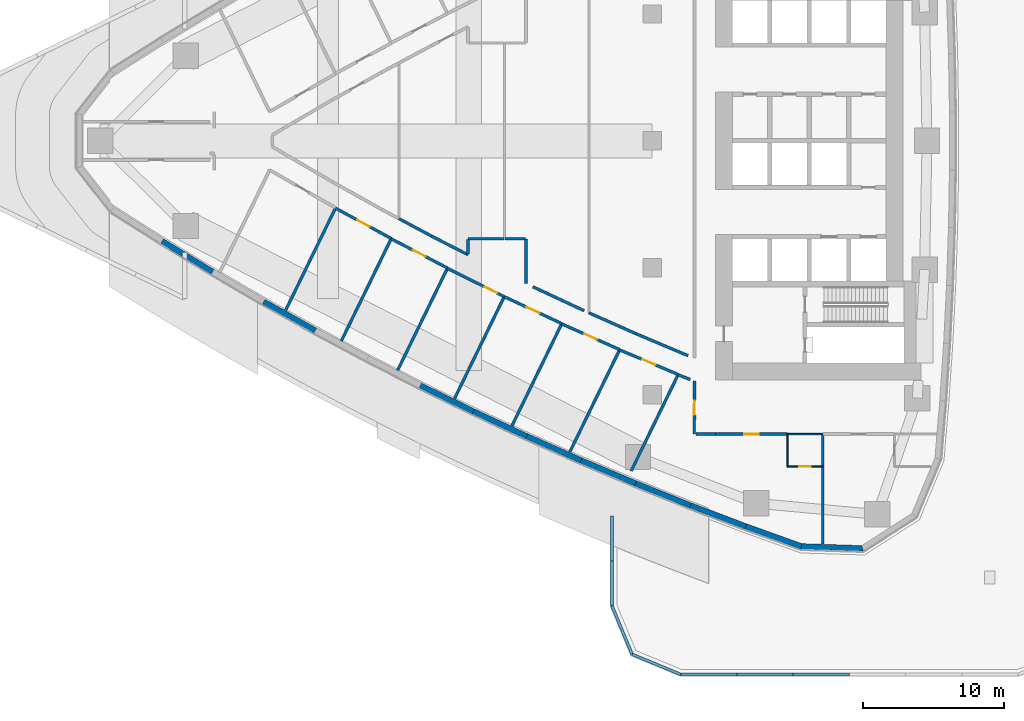
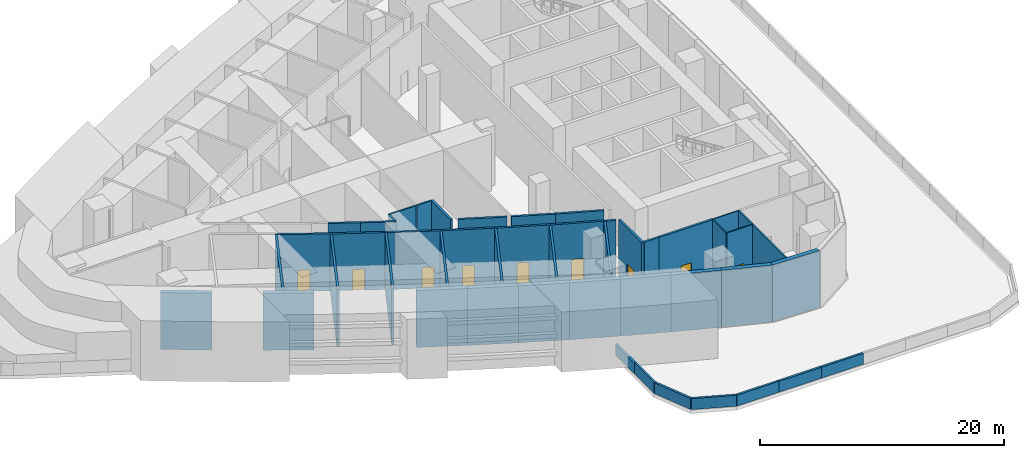
# One storey, part 2 of 14: 47 walls, 9 doors, 9 openings.
"""IFC4 building model written with IfcOpenShell, lengths in metres."""

from ifc_helpers import new_model, si_unit, direction, frame, frame_2d, origin, place, context, subcontext, project, spatial, polyline, rectangle, outline, extrude, material, layer, layer_set, type_object, element, fill, save


model = new_model("IFC4")

# Units and contexts
model_context = context("Model", 3, precision=1e-05, world=origin(), true_north=direction((0.0, 1.0)))
body_context = subcontext(model_context, "Body", "Model", "MODEL_VIEW")
ifc_project = project(units=[si_unit("LENGTHUNIT", "METRE"), si_unit("AREAUNIT", "SQUARE_METRE"), si_unit("VOLUMEUNIT", "CUBIC_METRE"), si_unit("PLANEANGLEUNIT", "RADIAN"), si_unit("MASSUNIT", "GRAM", prefix="KILO")], contexts=[model_context])

# Site, building, storey
site_placement = place(None, origin())
site = spatial("IfcSite", under=ifc_project, at=site_placement, CompositionType="ELEMENT")
building_placement = place(site_placement, origin())
building = spatial("IfcBuilding", under=site, at=building_placement, Name="Ostrand Prow Hotel Tower", CompositionType="ELEMENT")
storey_placement = place(building_placement, frame((0.0, 0.0, 29.0)))
storey = spatial("IfcBuildingStorey", under=building, at=storey_placement, Name="L05", CompositionType="ELEMENT", Elevation=29.0)

# Wall
ifc_material_1 = material(Name="Plasterboard partition")
ifc_layer_1 = layer(ifc_material_1, 0.10009765625)
ifc_layer_set_1 = layer_set([ifc_layer_1], Name="Plasterboard partition")
wall_type_1 = type_object("IfcWallType", Name="Partition 100 bathroom wall", PredefinedType="PARTITIONING", material=ifc_layer_set_1)
wall_1_placement = place(storey_placement, frame((54.601806640625, -23.10009765625, 0.0), z_axis=(0.0, 0.0, 1.0), x_axis=(0.0, 1.0, 0.0)))
element("IfcWall", 1, at=wall_1_placement, inside=storey, type_object=wall_type_1, Name="BATHROOM WALL", PredefinedType="PARTITIONING", context=body_context, shape_type="SweptSolid", body=[
    extrude(rectangle(XDim=2.300048828125, YDim=0.10009765625, at=frame_2d((1.14990234375, 0.0))), origin(), (0.0, 0.0, 1.0), 5.699951171875),
])

# Wall, opening, door
wall_2_placement = place(storey_placement, frame((57.101806640625, -23.10009765625, 0.0), z_axis=(0.0, 0.0, 1.0), x_axis=(-1.0, 0.0, 0.0)))
wall_2 = element("IfcWall", 2, at=wall_2_placement, inside=storey, type_object=wall_type_1, Name="BATHROOM WALL", PredefinedType="PARTITIONING", context=body_context, shape_type="SweptSolid", body=[
    extrude(rectangle(XDim=2.5, YDim=0.10009765625, at=frame_2d((1.25, 0.0))), origin(), (0.0, 0.0, 1.0), 5.699951171875),
])
opening_1_placement = place(wall_2_placement, frame((0.85009765625, 0.0, 0.0)))
opening_1 = element("IfcOpeningElement", 3, at=opening_1_placement, cuts=wall_2, Name="Opening D2", PredefinedType="OPENING", context=body_context, shape_type="SweptSolid", body=[
    extrude(rectangle(XDim=0.800048828125, YDim=2.10009765625, at=frame_2d((0.39990234375, 1.050048828125))), frame((0.0, 0.06005859375, 0.0), z_axis=(0.0, -1.0, 0.0), x_axis=(1.0, 0.0, 0.0)), (0.0, 0.0, 1.0), 0.1201171875),
])
ifc_material_2 = material(Name="Timber door leaf", Category="wood")
door_type_1 = type_object("IfcDoorType", Name="Bathroom door 800", OperationType="SINGLE_SWING_LEFT", PredefinedType="DOOR", material=ifc_material_2)
door_1_placement = place(opening_1_placement, origin())
door_1 = element("IfcDoor", 4, at=door_1_placement, inside=storey, type_object=door_type_1, Name="DOOR", OperationType="SINGLE_SWING_LEFT", OverallHeight=2.10009765625, OverallWidth=0.800048828125, PredefinedType="DOOR", context=body_context, shape_type="SweptSolid", body=[
    extrude(rectangle(XDim=0.800048828125, YDim=2.10009765625, at=frame_2d((0.39990234375, 1.050048828125))), frame((0.0, 0.02490234375, 0.0), z_axis=(0.0, -1.0, 0.0), x_axis=(1.0, 0.0, 0.0)), (0.0, 0.0, 1.0), 0.050048828125),
])
fill(opening_1, door_1)

# Walls
wall_3_placement = place(storey_placement, frame((54.601806640625, -20.804931640625, 0.0), z_axis=(0.0, 0.0, 1.0), x_axis=(1.0, 0.0, 0.0)))
element("IfcWall", 5, at=wall_3_placement, inside=storey, type_object=wall_type_1, Name="BATHROOM WALL", PredefinedType="PARTITIONING", context=body_context, shape_type="SweptSolid", body=[
    extrude(rectangle(XDim=2.5, YDim=0.10009765625, at=frame_2d((1.25, 0.0))), origin(), (0.0, 0.0, 1.0), 5.699951171875),
])
ifc_material_3 = material(Name="Plasterboard partition")
ifc_layer_2 = layer(ifc_material_3, 0.14990234375)
ifc_layer_set_2 = layer_set([ifc_layer_2], Name="Plasterboard partition")
wall_type_2 = type_object("IfcWallType", Name="Partition 150 room partition", PredefinedType="PARTITIONING", material=ifc_layer_set_2)
wall_4_placement = place(storey_placement, frame((57.101806640625, -28.5869140625, 0.0), z_axis=(0.0, 0.0, 1.0), x_axis=(0.0, 1.0, 0.0)))
element("IfcWall", 6, at=wall_4_placement, inside=storey, type_object=wall_type_2, Name="ROOM PARTITION", PredefinedType="PARTITIONING", context=body_context, shape_type="SweptSolid", body=[
    extrude(rectangle(XDim=7.786865234375, YDim=0.14990234375, at=frame_2d((3.8935546875, 0.0))), origin(), (0.0, 0.0, 1.0), 5.699951171875),
])
wall_5_placement = place(storey_placement, frame((34.482421875, -6.945068359375, 0.0), z_axis=(0.0, 0.0, 1.0), x_axis=(-0.99999999536, -9.6329833e-05, 0.0)))
element("IfcWall", 7, at=wall_5_placement, inside=storey, type_object=wall_type_2, Name="ROOM PARTITION", PredefinedType="PARTITIONING", context=body_context, shape_type="SweptSolid", body=[
    extrude(rectangle(XDim=2.534423828125, YDim=0.14990234375, at=frame_2d((1.26708984375, 0.0))), origin(), (0.0, 0.0, 1.0), 5.699951171875),
])
wall_6_placement = place(storey_placement, frame((36.014404296875, -6.947509765625, 0.0), z_axis=(0.0, 0.0, 1.0), x_axis=(-0.999998586248, 0.001681517717, 0.0)))
element("IfcWall", 8, at=wall_6_placement, inside=storey, type_object=wall_type_2, Name="ROOM PARTITION", PredefinedType="PARTITIONING", context=body_context, shape_type="SweptSolid", body=[
    extrude(rectangle(XDim=1.451904296875, YDim=0.14990234375, at=frame_2d((0.72607421875, 0.0))), origin(), (0.0, 0.0, 1.0), 5.699951171875),
])

# Wall, opening, door
ifc_material_4 = material(Name="Plasterboard partition")
ifc_layer_3 = layer(ifc_material_4, 0.199951171875)
ifc_layer_set_3 = layer_set([ifc_layer_3], Name="Plasterboard partition")
wall_type_3 = type_object("IfcWallType", Name="Partition 200 corridor wall", PredefinedType="PARTITIONING", material=ifc_layer_set_3)
wall_7_placement = place(storey_placement, frame((22.541015625, -4.772705078125, 0.0), z_axis=(0.0, 0.0, 1.0), x_axis=(0.878098348451, -0.478480188146, 0.0)))
wall_7 = element("IfcWall", 9, at=wall_7_placement, inside=storey, type_object=wall_type_3, Name="CORRIDOR WALL", PredefinedType="PARTITIONING", context=body_context, shape_type="SweptSolid", body=[
    extrude(rectangle(XDim=4.507568359375, YDim=0.199951171875, at=frame_2d((2.25390625, 0.0))), origin(), (0.0, 0.0, 1.0), 5.699951171875),
])
opening_2_placement = place(wall_7_placement, frame((1.75390625, 0.0, 0.0)))
opening_2 = element("IfcOpeningElement", 10, at=opening_2_placement, cuts=wall_7, Name="Opening D1", PredefinedType="OPENING", context=body_context, shape_type="SweptSolid", body=[
    extrude(rectangle(XDim=1.0, YDim=2.10009765625, at=frame_2d((0.5, 1.050048828125))), frame((0.0, 0.10986328125, 0.0), z_axis=(0.0, -1.0, 0.0), x_axis=(1.0, 0.0, 0.0)), (0.0, 0.0, 1.0), 0.219970703125),
])
ifc_material_5 = material(Name="Timber door leaf", Category="wood")
door_type_2 = type_object("IfcDoorType", Name="Guest room door 1000", OperationType="SINGLE_SWING_LEFT", PredefinedType="DOOR", material=ifc_material_5)
door_2_placement = place(opening_2_placement, origin())
door_2 = element("IfcDoor", 11, at=door_2_placement, inside=storey, type_object=door_type_2, Name="DOOR", OperationType="SINGLE_SWING_LEFT", OverallHeight=2.10009765625, OverallWidth=1.0, PredefinedType="DOOR", context=body_context, shape_type="SweptSolid", body=[
    extrude(rectangle(XDim=1.0, YDim=2.10009765625, at=frame_2d((0.5, 1.050048828125))), frame((0.0, 0.02490234375, 0.0), z_axis=(0.0, -1.0, 0.0), x_axis=(1.0, 0.0, 0.0)), (0.0, 0.0, 1.0), 0.050048828125),
])
fill(opening_2, door_2)

wall_8_placement = place(storey_placement, frame((26.490234375, -6.947509765625, 0.0), z_axis=(0.0, 0.0, 1.0), x_axis=(0.887638836985, -0.460540220911, 0.0)))
wall_8 = element("IfcWall", 12, at=wall_8_placement, inside=storey, type_object=wall_type_3, Name="CORRIDOR WALL", PredefinedType="PARTITIONING", context=body_context, shape_type="SweptSolid", body=[
    extrude(rectangle(XDim=4.50439453125, YDim=0.199951171875, at=frame_2d((2.252197265625, 0.0))), origin(), (0.0, 0.0, 1.0), 5.699951171875),
])
opening_3_placement = place(wall_8_placement, frame((1.752197265625, 0.0, 0.0)))
opening_3 = element("IfcOpeningElement", 13, at=opening_3_placement, cuts=wall_8, Name="Opening D1R", PredefinedType="OPENING", context=body_context, shape_type="SweptSolid", body=[
    extrude(rectangle(XDim=1.0, YDim=2.10009765625, at=frame_2d((0.5, 1.050048828125))), frame((0.0, 0.10986328125, 0.0), z_axis=(0.0, -1.0, 0.0), x_axis=(1.0, 0.0, 0.0)), (0.0, 0.0, 1.0), 0.219970703125),
])
ifc_material_6 = material(Name="Timber door leaf", Category="wood")
door_type_3 = type_object("IfcDoorType", Name="Guest room door 1000 right", OperationType="SINGLE_SWING_RIGHT", PredefinedType="DOOR", material=ifc_material_6)
door_3_placement = place(opening_3_placement, origin())
door_3 = element("IfcDoor", 14, at=door_3_placement, inside=storey, type_object=door_type_3, Name="DOOR", OperationType="SINGLE_SWING_RIGHT", OverallHeight=2.10009765625, OverallWidth=1.0, PredefinedType="DOOR", context=body_context, shape_type="SweptSolid", body=[
    extrude(rectangle(XDim=1.0, YDim=2.10009765625, at=frame_2d((0.5, 1.050048828125))), frame((0.0, 0.02490234375, 0.0), z_axis=(0.0, -1.0, 0.0), x_axis=(1.0, 0.0, 0.0)), (0.0, 0.0, 1.0), 0.050048828125),
])
fill(opening_3, door_3)

wall_9_placement = place(storey_placement, frame((30.479736328125, -9.039794921875, 0.0), z_axis=(0.0, 0.0, 1.0), x_axis=(0.894989913054, -0.446086376761, 0.0)))
wall_9 = element("IfcWall", 15, at=wall_9_placement, inside=storey, type_object=wall_type_3, Name="CORRIDOR WALL", PredefinedType="PARTITIONING", context=body_context, shape_type="SweptSolid", body=[
    extrude(rectangle(XDim=4.50634765625, YDim=0.199951171875, at=frame_2d((2.253173828125, 0.0))), origin(), (0.0, 0.0, 1.0), 5.699951171875),
])
opening_4_placement = place(wall_9_placement, frame((2.949951171875, 0.0, 0.0)))
opening_4 = element("IfcOpeningElement", 16, at=opening_4_placement, cuts=wall_9, Name="Opening D1", PredefinedType="OPENING", context=body_context, shape_type="SweptSolid", body=[
    extrude(rectangle(XDim=1.0, YDim=2.10009765625, at=frame_2d((0.5, 1.050048828125))), frame((0.0, 0.10986328125, 0.0), z_axis=(0.0, -1.0, 0.0), x_axis=(1.0, 0.0, 0.0)), (0.0, 0.0, 1.0), 0.219970703125),
])
door_4_placement = place(opening_4_placement, origin())
door_4 = element("IfcDoor", 17, at=door_4_placement, inside=storey, type_object=door_type_2, Name="DOOR", OperationType="SINGLE_SWING_LEFT", OverallHeight=2.10009765625, OverallWidth=1.0, PredefinedType="DOOR", context=body_context, shape_type="SweptSolid", body=[
    extrude(rectangle(XDim=1.0, YDim=2.10009765625, at=frame_2d((0.5, 1.050048828125))), frame((0.0, 0.02490234375, 0.0), z_axis=(0.0, -1.0, 0.0), x_axis=(1.0, 0.0, 0.0)), (0.0, 0.0, 1.0), 0.050048828125),
])
fill(opening_4, door_4)

wall_10_placement = place(storey_placement, frame((34.51220703125, -11.0517578125, 0.0), z_axis=(0.0, 0.0, 1.0), x_axis=(0.905585758423, -0.424163216394, 0.0)))
wall_10 = element("IfcWall", 18, at=wall_10_placement, inside=storey, type_object=wall_type_3, Name="CORRIDOR WALL", PredefinedType="PARTITIONING", context=body_context, shape_type="SweptSolid", body=[
    extrude(rectangle(XDim=4.5068359375, YDim=0.199951171875, at=frame_2d((2.25341796875, 0.0))), origin(), (0.0, 0.0, 1.0), 5.699951171875),
])
opening_5_placement = place(wall_10_placement, frame((1.75341796875, 0.0, 0.0)))
opening_5 = element("IfcOpeningElement", 19, at=opening_5_placement, cuts=wall_10, Name="Opening D1R", PredefinedType="OPENING", context=body_context, shape_type="SweptSolid", body=[
    extrude(rectangle(XDim=1.0, YDim=2.10009765625, at=frame_2d((0.5, 1.050048828125))), frame((0.0, 0.10986328125, 0.0), z_axis=(0.0, -1.0, 0.0), x_axis=(1.0, 0.0, 0.0)), (0.0, 0.0, 1.0), 0.219970703125),
])
door_5_placement = place(opening_5_placement, origin())
door_5 = element("IfcDoor", 20, at=door_5_placement, inside=storey, type_object=door_type_3, Name="DOOR", OperationType="SINGLE_SWING_RIGHT", OverallHeight=2.10009765625, OverallWidth=1.0, PredefinedType="DOOR", context=body_context, shape_type="SweptSolid", body=[
    extrude(rectangle(XDim=1.0, YDim=2.10009765625, at=frame_2d((0.5, 1.050048828125))), frame((0.0, 0.02490234375, 0.0), z_axis=(0.0, -1.0, 0.0), x_axis=(1.0, 0.0, 0.0)), (0.0, 0.0, 1.0), 0.050048828125),
])
fill(opening_5, door_5)

wall_11_placement = place(storey_placement, frame((38.584716796875, -12.981201171875, 0.0), z_axis=(0.0, 0.0, 1.0), x_axis=(0.914010307464, -0.40569096348, 0.0)))
wall_11 = element("IfcWall", 21, at=wall_11_placement, inside=storey, type_object=wall_type_3, Name="CORRIDOR WALL", PredefinedType="PARTITIONING", context=body_context, shape_type="SweptSolid", body=[
    extrude(rectangle(XDim=4.505615234375, YDim=0.199951171875, at=frame_2d((2.2529296875, 0.0))), origin(), (0.0, 0.0, 1.0), 5.699951171875),
])
opening_6_placement = place(wall_11_placement, frame((1.752685546875, 0.0, 0.0)))
opening_6 = element("IfcOpeningElement", 22, at=opening_6_placement, cuts=wall_11, Name="Opening D1", PredefinedType="OPENING", context=body_context, shape_type="SweptSolid", body=[
    extrude(rectangle(XDim=1.0, YDim=2.10009765625, at=frame_2d((0.5, 1.050048828125))), frame((0.0, 0.10986328125, 0.0), z_axis=(0.0, -1.0, 0.0), x_axis=(1.0, 0.0, 0.0)), (0.0, 0.0, 1.0), 0.219970703125),
])
door_6_placement = place(opening_6_placement, origin())
door_6 = element("IfcDoor", 23, at=door_6_placement, inside=storey, type_object=door_type_2, Name="DOOR", OperationType="SINGLE_SWING_LEFT", OverallHeight=2.10009765625, OverallWidth=1.0, PredefinedType="DOOR", context=body_context, shape_type="SweptSolid", body=[
    extrude(rectangle(XDim=1.0, YDim=2.10009765625, at=frame_2d((0.5, 1.050048828125))), frame((0.0, 0.02490234375, 0.0), z_axis=(0.0, -1.0, 0.0), x_axis=(1.0, 0.0, 0.0)), (0.0, 0.0, 1.0), 0.050048828125),
])
fill(opening_6, door_6)

wall_12_placement = place(storey_placement, frame((42.694091796875, -14.8271484375, 0.0), z_axis=(0.0, 0.0, 1.0), x_axis=(0.922040468003, -0.38709349693, 0.0)))
wall_12 = element("IfcWall", 24, at=wall_12_placement, inside=storey, type_object=wall_type_3, Name="CORRIDOR WALL", PredefinedType="PARTITIONING", context=body_context, shape_type="SweptSolid", body=[
    extrude(rectangle(XDim=4.509521484375, YDim=0.199951171875, at=frame_2d((2.2548828125, 0.0))), origin(), (0.0, 0.0, 1.0), 5.699951171875),
])
opening_7_placement = place(wall_12_placement, frame((1.7548828125, 0.0, 0.0)))
opening_7 = element("IfcOpeningElement", 25, at=opening_7_placement, cuts=wall_12, Name="Opening D1R", PredefinedType="OPENING", context=body_context, shape_type="SweptSolid", body=[
    extrude(rectangle(XDim=1.0, YDim=2.10009765625, at=frame_2d((0.5, 1.050048828125))), frame((0.0, 0.10986328125, 0.0), z_axis=(0.0, -1.0, 0.0), x_axis=(1.0, 0.0, 0.0)), (0.0, 0.0, 1.0), 0.219970703125),
])
door_7_placement = place(opening_7_placement, origin())
door_7 = element("IfcDoor", 26, at=door_7_placement, inside=storey, type_object=door_type_3, Name="DOOR", OperationType="SINGLE_SWING_RIGHT", OverallHeight=2.10009765625, OverallWidth=1.0, PredefinedType="DOOR", context=body_context, shape_type="SweptSolid", body=[
    extrude(rectangle(XDim=1.0, YDim=2.10009765625, at=frame_2d((0.5, 1.050048828125))), frame((0.0, 0.02490234375, 0.0), z_axis=(0.0, -1.0, 0.0), x_axis=(1.0, 0.0, 0.0)), (0.0, 0.0, 1.0), 0.050048828125),
])
fill(opening_7, door_7)

# Walls
wall_13_placement = place(storey_placement, frame((31.949951171875, -8.084716796875, 0.0), z_axis=(0.0, 0.0, 1.0), x_axis=(-0.890213377055, 0.455543788579, 0.0)))
element("IfcWall", 27, at=wall_13_placement, inside=storey, type_object=wall_type_3, Name="CORRIDOR WALL", PredefinedType="PARTITIONING", context=body_context, shape_type="SweptSolid", body=[
    extrude(rectangle(XDim=2.912353515625, YDim=0.199951171875, at=frame_2d((1.4560546875, 0.0))), origin(), (0.0, 0.0, 1.0), 5.699951171875),
])
wall_14_placement = place(storey_placement, frame((29.357421875, -6.758056640625, 0.0), z_axis=(0.0, 0.0, 1.0), x_axis=(-0.881643871176, 0.471915336069, 0.0)))
element("IfcWall", 28, at=wall_14_placement, inside=storey, type_object=wall_type_3, Name="CORRIDOR WALL", PredefinedType="PARTITIONING", context=body_context, shape_type="SweptSolid", body=[
    extrude(rectangle(XDim=2.63427734375, YDim=0.199951171875, at=frame_2d((1.317138671875, 0.0))), origin(), (0.0, 0.0, 1.0), 5.699951171875),
])
for number, where, z_axis, x_axis, name in (
    (29, (40.1796875, -12.0478515625, 0.0), (0.0, 0.0, 1.0), (-0.906347708834, 0.42253263861, 0.0), "CORRIDOR WALL"),
    (30, (47.549560546875, -15.239013671875, 0.0), (0.0, 0.0, 1.0), (-0.921269894054, 0.388923877269, 0.0), "CORRIDOR WALL"),
):
    element("IfcWall", number, at=place(storey_placement, frame(where, z_axis=z_axis, x_axis=x_axis)), inside=storey, type_object=wall_type_3, Name=name, PredefinedType="PARTITIONING", context=body_context, shape_type="SweptSolid", body=[
        extrude(rectangle(XDim=4.015625, YDim=0.199951171875, at=frame_2d((2.0078125, 0.0))), origin(), (0.0, 0.0, 1.0), 5.699951171875),
    ])
wall_15_placement = place(storey_placement, frame((43.85009765625, -13.67724609375, 0.0), z_axis=(0.0, 0.0, 1.0), x_axis=(-0.913985152197, 0.405747632849, 0.0)))
element("IfcWall", 31, at=wall_15_placement, inside=storey, type_object=wall_type_3, Name="CORRIDOR WALL", PredefinedType="PARTITIONING", context=body_context, shape_type="SweptSolid", body=[
    extrude(rectangle(XDim=3.65185546875, YDim=0.199951171875, at=frame_2d((1.825927734375, 0.0))), origin(), (0.0, 0.0, 1.0), 5.699951171875),
])

# Wall, opening, door
wall_16_placement = place(storey_placement, frame((49.5, -20.804931640625, 0.0), z_axis=(0.0, 0.0, 1.0), x_axis=(1.0, 0.0, 0.0)))
wall_16 = element("IfcWall", 32, at=wall_16_placement, inside=storey, type_object=wall_type_3, Name="CORRIDOR WALL", PredefinedType="PARTITIONING", context=body_context, shape_type="SweptSolid", body=[
    extrude(rectangle(XDim=5.0966796875, YDim=0.199951171875, at=frame_2d((2.54833984375, 0.0))), origin(), (0.0, 0.0, 1.0), 5.699951171875),
])
opening_8_placement = place(wall_16_placement, frame((2.04833984375, 0.0, 0.0)))
opening_8 = element("IfcOpeningElement", 33, at=opening_8_placement, cuts=wall_16, Name="Opening D1", PredefinedType="OPENING", context=body_context, shape_type="SweptSolid", body=[
    extrude(rectangle(XDim=1.0, YDim=2.10009765625, at=frame_2d((0.5, 1.050048828125))), frame((0.0, 0.10986328125, 0.0), z_axis=(0.0, -1.0, 0.0), x_axis=(1.0, 0.0, 0.0)), (0.0, 0.0, 1.0), 0.219970703125),
])
door_8_placement = place(opening_8_placement, origin())
door_8 = element("IfcDoor", 34, at=door_8_placement, inside=storey, type_object=door_type_2, Name="DOOR", OperationType="SINGLE_SWING_LEFT", OverallHeight=2.10009765625, OverallWidth=1.0, PredefinedType="DOOR", context=body_context, shape_type="SweptSolid", body=[
    extrude(rectangle(XDim=1.0, YDim=2.10009765625, at=frame_2d((0.5, 1.050048828125))), frame((0.0, 0.02490234375, 0.0), z_axis=(0.0, -1.0, 0.0), x_axis=(1.0, 0.0, 0.0)), (0.0, 0.0, 1.0), 0.050048828125),
])
fill(opening_8, door_8)

# Walls
wall_17_placement = place(storey_placement, frame((46.843505859375, -16.5908203125, 0.0), z_axis=(0.0, 0.0, 1.0), x_axis=(0.930610193452, -0.366011841125, 0.0)))
element("IfcWall", 35, at=wall_17_placement, inside=storey, type_object=wall_type_3, Name="CORRIDOR WALL", PredefinedType="PARTITIONING", context=body_context, shape_type="SweptSolid", body=[
    extrude(rectangle(XDim=0.924560546875, YDim=0.199951171875, at=frame_2d((0.46240234375, 0.0))), origin(), (0.0, 0.0, 1.0), 5.699951171875),
])
wall_18_placement = place(storey_placement, frame((31.947998046875, -6.9853515625, 0.0), z_axis=(0.0, 0.0, 1.0), x_axis=(-0.00278485808, -0.999996122275, 0.0)))
element("IfcWall", 36, at=wall_18_placement, inside=storey, type_object=wall_type_3, Name="CORRIDOR WALL", PredefinedType="PARTITIONING", context=body_context, shape_type="SweptSolid", body=[
    extrude(rectangle(XDim=1.052001953125, YDim=0.199951171875, at=frame_2d((0.52587890625, 0.0))), origin(), (0.0, 0.0, 1.0), 5.699951171875),
])
wall_19_placement = place(storey_placement, frame((36.054931640625, -10.1083984375, 0.0), z_axis=(0.0, 0.0, 1.0), x_axis=(-0.000154475939, 0.999999988069, 0.0)))
element("IfcWall", 37, at=wall_19_placement, inside=storey, type_object=wall_type_3, Name="CORRIDOR WALL", PredefinedType="PARTITIONING", context=body_context, shape_type="SweptSolid", body=[
    extrude(rectangle(XDim=3.160888671875, YDim=0.199951171875, at=frame_2d((1.58056640625, 0.0))), origin(), (0.0, 0.0, 1.0), 5.699951171875),
])

# Wall, opening, door
wall_20_placement = place(storey_placement, frame((47.998779296875, -17.033203125, 0.0), z_axis=(0.0, 0.0, 1.0), x_axis=(-0.000906911592, -0.999999588756, 0.0)))
wall_20 = element("IfcWall", 38, at=wall_20_placement, inside=storey, type_object=wall_type_3, Name="CORRIDOR WALL", PredefinedType="PARTITIONING", context=body_context, shape_type="SweptSolid", body=[
    extrude(rectangle(XDim=3.768798828125, YDim=0.199951171875, at=frame_2d((1.88427734375, 0.0))), origin(), (0.0, 0.0, 1.0), 5.699951171875),
])
opening_9_placement = place(wall_20_placement, frame((1.39990234375, 0.0, 0.0)))
opening_9 = element("IfcOpeningElement", 39, at=opening_9_placement, cuts=wall_20, Name="Opening D1R", PredefinedType="OPENING", context=body_context, shape_type="SweptSolid", body=[
    extrude(rectangle(XDim=1.0, YDim=2.10009765625, at=frame_2d((0.5, 1.050048828125))), frame((0.0, 0.10986328125, 0.0), z_axis=(0.0, -1.0, 0.0), x_axis=(1.0, 0.0, 0.0)), (0.0, 0.0, 1.0), 0.219970703125),
])
door_9_placement = place(opening_9_placement, origin())
door_9 = element("IfcDoor", 40, at=door_9_placement, inside=storey, type_object=door_type_3, Name="DOOR", OperationType="SINGLE_SWING_RIGHT", OverallHeight=2.10009765625, OverallWidth=1.0, PredefinedType="DOOR", context=body_context, shape_type="SweptSolid", body=[
    extrude(rectangle(XDim=1.0, YDim=2.10009765625, at=frame_2d((0.5, 1.050048828125))), frame((0.0, 0.02490234375, 0.0), z_axis=(0.0, -1.0, 0.0), x_axis=(1.0, 0.0, 0.0)), (0.0, 0.0, 1.0), 0.050048828125),
])
fill(opening_9, door_9)

# Walls
wall_21_placement = place(storey_placement, frame((48.115478515625, -20.802001953125, 0.0), z_axis=(0.0, 0.0, 1.0), x_axis=(0.999997761218, -0.002116024182, 0.0)))
element("IfcWall", 41, at=wall_21_placement, inside=storey, type_object=wall_type_3, Name="CORRIDOR WALL", PredefinedType="PARTITIONING", context=body_context, shape_type="SweptSolid", body=[
    extrude(rectangle(XDim=1.384521484375, YDim=0.199951171875, at=frame_2d((0.6923828125, 0.0))), origin(), (0.0, 0.0, 1.0), 5.699951171875),
])
ifc_material_7 = material(Name="Plasterboard partition")
ifc_layer_4 = layer(ifc_material_7, 0.199951171875)
ifc_layer_set_4 = layer_set([ifc_layer_4], Name="Plasterboard partition")
wall_type_4 = type_object("IfcWallType", Name="Partition 200 key partition", PredefinedType="PARTITIONING", material=ifc_layer_set_4)
wall_22_placement = place(storey_placement, frame((19.0078125, -12.02001953125, 0.0), z_axis=(0.0, 0.0, 1.0), x_axis=(0.43821414459, 0.898870604415, 0.0)))
element("IfcWall", 42, at=wall_22_placement, inside=storey, type_object=wall_type_4, Name="KEY PARTITION", PredefinedType="PARTITIONING", context=body_context, shape_type="SweptSolid", body=[
    extrude(rectangle(XDim=8.082763671875, YDim=0.199951171875, at=frame_2d((4.04150390625, 0.0))), origin(), (0.0, 0.0, 1.0), 5.699951171875),
])
wall_23_placement = place(storey_placement, frame((22.960205078125, -14.1884765625, 0.0), z_axis=(0.0, 0.0, 1.0), x_axis=(0.438206216484, 0.898874469453, 0.0)))
element("IfcWall", 43, at=wall_23_placement, inside=storey, type_object=wall_type_4, Name="KEY PARTITION", PredefinedType="PARTITIONING", context=body_context, shape_type="SweptSolid", body=[
    extrude(rectangle(XDim=8.07568359375, YDim=0.199951171875, at=frame_2d((4.037841796875, 0.0))), origin(), (0.0, 0.0, 1.0), 5.699951171875),
])
wall_24_placement = place(storey_placement, frame((26.951416015625, -16.277099609375, 0.0), z_axis=(0.0, 0.0, 1.0), x_axis=(0.438225769904, 0.898864936791, 0.0)))
element("IfcWall", 44, at=wall_24_placement, inside=storey, type_object=wall_type_4, Name="KEY PARTITION", PredefinedType="PARTITIONING", context=body_context, shape_type="SweptSolid", body=[
    extrude(rectangle(XDim=8.071533203125, YDim=0.199951171875, at=frame_2d((4.03564453125, 0.0))), origin(), (0.0, 0.0, 1.0), 5.699951171875),
])
wall_25_placement = place(storey_placement, frame((30.984619140625, -18.28759765625, 0.0), z_axis=(0.0, 0.0, 1.0), x_axis=(0.438203778377, 0.89887565804, 0.0)))
element("IfcWall", 45, at=wall_25_placement, inside=storey, type_object=wall_type_4, Name="KEY PARTITION", PredefinedType="PARTITIONING", context=body_context, shape_type="SweptSolid", body=[
    extrude(rectangle(XDim=8.0517578125, YDim=0.199951171875, at=frame_2d((4.02587890625, 0.0))), origin(), (0.0, 0.0, 1.0), 5.699951171875),
])
wall_26_placement = place(storey_placement, frame((35.056640625, -20.218505859375, 0.0), z_axis=(0.0, 0.0, 1.0), x_axis=(0.438201330703, 0.898876851281, 0.0)))
element("IfcWall", 46, at=wall_26_placement, inside=storey, type_object=wall_type_4, Name="KEY PARTITION", PredefinedType="PARTITIONING", context=body_context, shape_type="SweptSolid", body=[
    extrude(rectangle(XDim=8.0712890625, YDim=0.199951171875, at=frame_2d((4.03564453125, 0.0))), origin(), (0.0, 0.0, 1.0), 5.699951171875),
])
wall_27_placement = place(storey_placement, frame((39.164306640625, -22.06787109375, 0.0), z_axis=(0.0, 0.0, 1.0), x_axis=(0.43819369757, 0.898880572384, 0.0)))
element("IfcWall", 47, at=wall_27_placement, inside=storey, type_object=wall_type_4, Name="KEY PARTITION", PredefinedType="PARTITIONING", context=body_context, shape_type="SweptSolid", body=[
    extrude(rectangle(XDim=8.075439453125, YDim=0.199951171875, at=frame_2d((4.03759765625, 0.0))), origin(), (0.0, 0.0, 1.0), 5.699951171875),
])
wall_28_placement = place(storey_placement, frame((43.516845703125, -23.414306640625, 0.0), z_axis=(0.0, 0.0, 1.0), x_axis=(0.438196739796, 0.898879089328, 0.0)))
element("IfcWall", 48, at=wall_28_placement, inside=storey, type_object=wall_type_4, Name="KEY PARTITION", PredefinedType="PARTITIONING", context=body_context, shape_type="SweptSolid", body=[
    extrude(rectangle(XDim=7.611083984375, YDim=0.199951171875, at=frame_2d((3.8056640625, 0.0))), origin(), (0.0, 0.0, 1.0), 5.699951171875),
])
ifc_material_8 = material(Name="Precast concrete C40/50", Category="concrete")
ifc_layer_5 = layer(ifc_material_8, 0.199951171875)
ifc_layer_set_5 = layer_set([ifc_layer_5], Name="Precast concrete C40/50")
wall_type_5 = type_object("IfcWallType", Name="Roof parapet 200 mm precast concrete", PredefinedType="PARAPET", material=ifc_layer_set_5)
for number, where, z_axis, x_axis, name in (
    (49, (42.14990234375, -26.61279296875, 0.0), (0.0, 0.0, 1.0), (0.0, -1.0, 0.0), "Roof parapet PRP0 1.30"),
    (50, (42.14990234375, -29.79150390625, 0.0), (0.0, 0.0, 1.0), (0.0, -1.0, 0.0), "Roof parapet PRP0 1.31"),
):
    element("IfcWall", number, at=place(storey_placement, frame(where, z_axis=z_axis, x_axis=x_axis)), inside=storey, type_object=wall_type_5, Name=name, PredefinedType="PARAPET", context=body_context, shape_type="SweptSolid", body=[
        extrude(rectangle(XDim=3.1787109375, YDim=0.199951171875, at=frame_2d((1.58935546875, 0.0))), origin(), (0.0, 0.0, 1.0), 1.10009765625),
    ])
for number, where, z_axis, x_axis, name in (
    (51, (42.14990234375, -32.97021484375, 0.0), (0.0, 0.0, 1.0), (0.382734748475, -0.923858275013, 0.0), "Roof parapet PRP0 1.32"),
    (52, (43.579345703125, -36.420654296875, 0.0), (0.0, 0.0, 1.0), (0.923858275013, -0.382734748475, 0.0), "Roof parapet PRP0 1.33"),
):
    element("IfcWall", number, at=place(storey_placement, frame(where, z_axis=z_axis, x_axis=x_axis)), inside=storey, type_object=wall_type_5, Name=name, PredefinedType="PARAPET", context=body_context, shape_type="SweptSolid", body=[
        extrude(rectangle(XDim=3.73486328125, YDim=0.199951171875, at=frame_2d((1.867431640625, 0.0))), origin(), (0.0, 0.0, 1.0), 1.10009765625),
    ])
wall_29_placement = place(storey_placement, frame((47.02978515625, -37.85009765625, 0.0), z_axis=(0.0, 0.0, 1.0), x_axis=(1.0, 0.0, 0.0)))
element("IfcWall", 53, at=wall_29_placement, inside=storey, type_object=wall_type_5, Name="Roof parapet PRP0 1.34", PredefinedType="PARAPET", context=body_context, shape_type="SweptSolid", body=[
    extrude(rectangle(XDim=3.990234375, YDim=0.199951171875, at=frame_2d((1.9951171875, 0.0))), origin(), (0.0, 0.0, 1.0), 1.10009765625),
])
for number, where, z_axis, x_axis, name in (
    (54, (51.02001953125, -37.85009765625, 0.0), (0.0, 0.0, 1.0), (1.0, 0.0, 0.0), "Roof parapet PRP0 1.35"),
    (55, (55.010009765625, -37.85009765625, 0.0), (0.0, 0.0, 1.0), (1.0, 0.0, 0.0), "Roof parapet PRP0 1.36"),
):
    element("IfcWall", number, at=place(storey_placement, frame(where, z_axis=z_axis, x_axis=x_axis)), inside=storey, type_object=wall_type_5, Name=name, PredefinedType="PARAPET", context=body_context, shape_type="SweptSolid", body=[
        extrude(rectangle(XDim=3.989990234375, YDim=0.199951171875, at=frame_2d((1.9951171875, 0.0))), origin(), (0.0, 0.0, 1.0), 1.10009765625),
    ])
ifc_material_9 = material(Name="Precast concrete C40/50", Category="concrete")
ifc_layer_6 = layer(ifc_material_9, 0.39990234375)
ifc_layer_set_6 = layer_set([ifc_layer_6], Name="Precast concrete C40/50")
wall_type_6 = type_object("IfcWallType", Name="Stone-faced precast wall 400 mm", PredefinedType="NOTDEFINED", material=ifc_layer_set_6)
wall_30_placement = place(storey_placement, frame((10.24169921875, -7.116455078125, 0.0), z_axis=(0.0, 0.0, 1.0), x_axis=(0.854262587683, -0.519841736767, 0.0)))
element("IfcWall", 56, at=wall_30_placement, inside=storey, type_object=wall_type_6, Name="Stone-faced wall prow 5", PredefinedType="NOTDEFINED", context=body_context, shape_type="SweptSolid", body=[
    extrude(outline(polyline([(-0.001708984375, -0.199951171875), (4.197998046875, -0.199951171875), (4.194580078125, 0.199951171875), (0.001708984375, 0.199951171875), (-0.001708984375, -0.199951171875)])), origin(), (0.0, 0.0, 1.0), 5.699951171875),
])
for number, where, z_axis, x_axis, name in (
    (57, (17.450439453125, -11.41259765625, 0.0), (0.0, 0.0, 1.0), (0.872792595997, -0.488091266437, 0.0), "Stone-faced wall prow 7"),
    (58, (28.547607421875, -17.352294921875, 0.0), (0.0, 0.0, 1.0), (0.898405787198, -0.439166302815, 0.0), "Stone-faced wall prow 10"),
):
    element("IfcWall", number, at=place(storey_placement, frame(where, z_axis=z_axis, x_axis=x_axis)), inside=storey, type_object=wall_type_6, Name=name, PredefinedType="NOTDEFINED", context=body_context, shape_type="SweptSolid", body=[
        extrude(outline(polyline([(-0.001708984375, -0.199951171875), (4.19775390625, -0.199951171875), (4.1943359375, 0.199951171875), (0.001708984375, 0.199951171875), (-0.001708984375, -0.199951171875)])), origin(), (0.0, 0.0, 1.0), 5.699951171875),
    ])
for number, where, z_axis, x_axis, name in (
    (59, (32.3173828125, -19.195068359375, 0.0), (0.0, 0.0, 1.0), (0.906355486536, -0.422515954758, 0.0), "Stone-faced wall prow 11"),
    (60, (36.12060546875, -20.968017578125, 0.0), (0.0, 0.0, 1.0), (0.913957840298, -0.405809149919, 0.0), "Stone-faced wall prow 12"),
):
    element("IfcWall", number, at=place(storey_placement, frame(where, z_axis=z_axis, x_axis=x_axis)), inside=storey, type_object=wall_type_6, Name=name, PredefinedType="NOTDEFINED", context=body_context, shape_type="SweptSolid", body=[
        extrude(outline(polyline([(-0.001708984375, -0.199951171875), (4.197998046875, -0.199951171875), (4.194580078125, 0.199951171875), (0.001708984375, 0.199951171875), (-0.001708984375, -0.199951171875)])), origin(), (0.0, 0.0, 1.0), 5.699951171875),
    ])
wall_31_placement = place(storey_placement, frame((39.955810546875, -22.6708984375, 0.0), z_axis=(0.0, 0.0, 1.0), x_axis=(0.921300983419, -0.388850225602, 0.0)))
element("IfcWall", 61, at=wall_31_placement, inside=storey, type_object=wall_type_6, Name="Stone-faced wall prow 13", PredefinedType="NOTDEFINED", context=body_context, shape_type="SweptSolid", body=[
    extrude(outline(polyline([(-0.001708984375, -0.199951171875), (4.19775390625, -0.199951171875), (4.1943359375, 0.199951171875), (0.001708984375, 0.199951171875), (-0.001708984375, -0.199951171875)])), origin(), (0.0, 0.0, 1.0), 5.699951171875),
])
wall_32_placement = place(storey_placement, frame((43.821533203125, -24.302490234375, 0.0), z_axis=(0.0, 0.0, 1.0), x_axis=(0.928275931693, -0.371892181472, 0.0)))
element("IfcWall", 62, at=wall_32_placement, inside=storey, type_object=wall_type_6, Name="Stone-faced wall prow 14", PredefinedType="NOTDEFINED", context=body_context, shape_type="SweptSolid", body=[
    extrude(outline(polyline([(-0.001708984375, -0.199951171875), (4.197998046875, -0.199951171875), (4.194580078125, 0.199951171875), (0.001708984375, 0.199951171875), (-0.001708984375, -0.199951171875)])), origin(), (0.0, 0.0, 1.0), 5.699951171875),
])
wall_33_placement = place(storey_placement, frame((47.716796875, -25.863037109375, 0.0), z_axis=(0.0, 0.0, 1.0), x_axis=(0.934961594906, -0.354748947921, 0.0)))
element("IfcWall", 63, at=wall_33_placement, inside=storey, type_object=wall_type_6, Name="Stone-faced wall prow 15", PredefinedType="NOTDEFINED", context=body_context, shape_type="SweptSolid", body=[
    extrude(outline(polyline([(-0.001708984375, -0.199951171875), (4.19775390625, -0.199951171875), (4.1943359375, 0.199951171875), (0.001708984375, 0.199951171875), (-0.001708984375, -0.199951171875)])), origin(), (0.0, 0.0, 1.0), 5.699951171875),
])
wall_34_placement = place(storey_placement, frame((51.639892578125, -27.3515625, 0.0), z_axis=(0.0, 0.0, 1.0), x_axis=(0.941339752885, -0.337460323057, 0.0)))
element("IfcWall", 64, at=wall_34_placement, inside=storey, type_object=wall_type_6, Name="Stone-faced wall prow 16", PredefinedType="NOTDEFINED", context=body_context, shape_type="SweptSolid", body=[
    extrude(outline(polyline([(-0.001708984375, -0.199951171875), (4.2275390625, -0.199951171875), (4.16455078125, 0.199951171875), (0.001708984375, 0.199951171875), (-0.001708984375, -0.199951171875)])), origin(), (0.0, 0.0, 1.0), 5.699951171875),
])
wall_35_placement = place(storey_placement, frame((55.58984375, -28.767578125, 0.0), z_axis=(0.0, 0.0, 1.0), x_axis=(0.999463576228, -0.032749958686, 0.0)))
element("IfcWall", 65, at=wall_35_placement, inside=storey, type_object=wall_type_6, Name="Stone-faced wall prow 17", PredefinedType="NOTDEFINED", context=body_context, shape_type="SweptSolid", body=[
    extrude(outline(polyline([(-0.031494140625, -0.199951171875), (4.40869140625, -0.199951171875), (4.28369140625, 0.199951171875), (0.031494140625, 0.199951171875), (-0.031494140625, -0.199951171875)])), origin(), (0.0, 0.0, 1.0), 5.699951171875),
])

save(model, "model.ifc")
